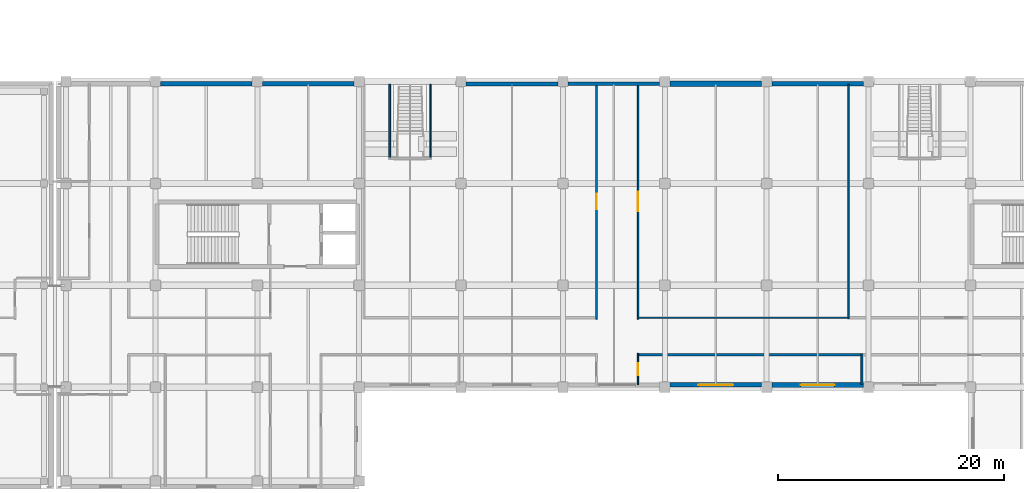
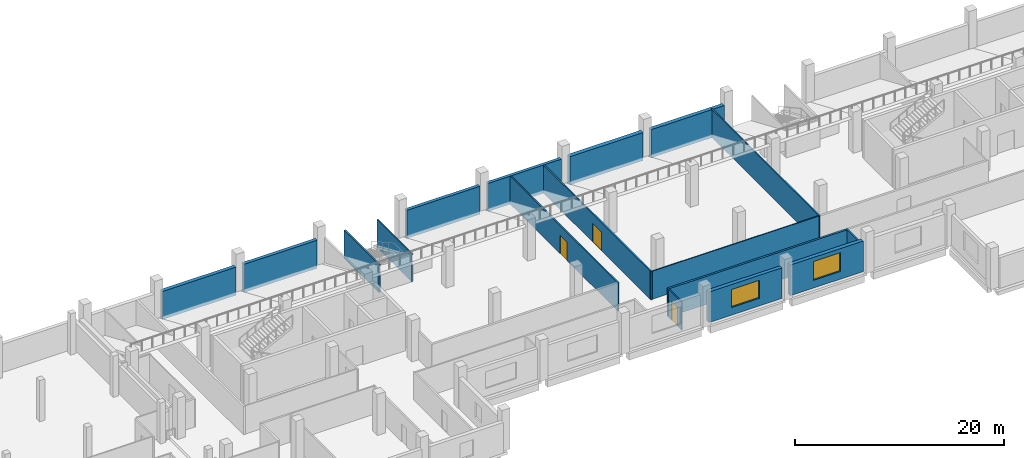
# One storey, part 55 of 100: 17 walls, 3 doors, 2 windows, 5 openings.
"""IFC4 building model written with IfcOpenShell, lengths in metres."""

from ifc_helpers import new_model, si_unit, direction, frame, frame_2d, origin, place, context, subcontext, project, spatial, rectangle, extrude, material, layer, layer_set, type_object, element, fill, save


model = new_model("IFC4")

# Units and contexts
model_context = context("Model", 3, precision=1e-05, world=origin(), true_north=direction((0.0, 1.0)))
body_context = subcontext(model_context, "Body", "Model", "MODEL_VIEW")
ifc_project = project(units=[si_unit("LENGTHUNIT", "METRE"), si_unit("AREAUNIT", "SQUARE_METRE"), si_unit("VOLUMEUNIT", "CUBIC_METRE"), si_unit("PLANEANGLEUNIT", "RADIAN"), si_unit("MASSUNIT", "GRAM", prefix="KILO"), si_unit("THERMODYNAMICTEMPERATUREUNIT", "KELVIN"), si_unit("POWERUNIT", "WATT")], contexts=[model_context])

# Site, building, storey
site_placement = place(None, origin())
site = spatial("IfcSite", under=ifc_project, at=site_placement, CompositionType="ELEMENT")
building_placement = place(site_placement, origin())
building = spatial("IfcBuilding", under=site, at=building_placement, Name="Sindhuravela Promenade Stadium", CompositionType="ELEMENT")
storey_placement = place(building_placement, frame((0.0, 0.0, 4.800048828125)))
storey = spatial("IfcBuildingStorey", under=building, at=storey_placement, Name="L01", CompositionType="ELEMENT", Elevation=4.800048828125)

# Walls
ifc_material_1 = material(Name="Terracotta clay brick masonry (15 MPa)", Category="masonry")
ifc_layer_1 = layer(ifc_material_1, 0.340087890625)
ifc_layer_set_1 = layer_set([ifc_layer_1], Name="Terracotta clay brick masonry (15 MPa)")
wall_type_1 = type_object("IfcWallType", Name="EX-WL-BRK340", PredefinedType="SOLIDWALL", material=ifc_layer_set_1)
wall_1_placement = place(storey_placement, frame((99.455078125, 35.800048828125, 0.0), z_axis=(0.0, 0.0, 1.0), x_axis=(1.0, 0.0, 0.0)))
element("IfcWall", 1, at=wall_1_placement, inside=storey, type_object=wall_type_1, Name="Exterior masonry wall EW06 SOUTH L01", PredefinedType="SOLIDWALL", context=body_context, shape_type="SweptSolid", body=[
    extrude(rectangle(XDim=8.08984375, YDim=0.340087890625, at=frame_2d((4.044921875, 0.0))), origin(), (0.0, 0.0, 1.0), 3.280029296875),
])
ifc_layer_2 = layer(ifc_material_1, 0.360107421875)
ifc_layer_set_2 = layer_set([ifc_layer_2], Name="Terracotta clay brick masonry (15 MPa)")
wall_type_2 = type_object("IfcWallType", Name="EX-WL-BRK360", PredefinedType="SOLIDWALL", material=ifc_layer_set_2)
wall_2_placement = place(storey_placement, frame((90.455078125, 35.800048828125, 0.0), z_axis=(0.0, 0.0, 1.0), x_axis=(1.0, 0.0, 0.0)))
element("IfcWall", 2, at=wall_2_placement, inside=storey, type_object=wall_type_2, Name="Exterior masonry wall EW05 SOUTH L01", PredefinedType="SOLIDWALL", context=body_context, shape_type="SweptSolid", body=[
    extrude(rectangle(XDim=8.08984375, YDim=0.360107421875, at=frame_2d((4.044921875, 0.0))), origin(), (0.0, 0.0, 1.0), 3.280029296875),
])
ifc_layer_3 = layer(ifc_material_1, 0.3798828125)
ifc_layer_set_3 = layer_set([ifc_layer_3], Name="Terracotta clay brick masonry (15 MPa)")
wall_type_3 = type_object("IfcWallType", Name="EX-WL-BRK380", PredefinedType="SOLIDWALL", material=ifc_layer_set_3)
wall_3_placement = place(storey_placement, frame((72.455078125, 35.800048828125, 0.0), z_axis=(0.0, 0.0, 1.0), x_axis=(1.0, 0.0, 0.0)))
element("IfcWall", 3, at=wall_3_placement, inside=storey, type_object=wall_type_3, Name="Exterior masonry wall EW04 SOUTH L01", PredefinedType="SOLIDWALL", context=body_context, shape_type="SweptSolid", body=[
    extrude(rectangle(XDim=8.08984375, YDim=0.3798828125, at=frame_2d((4.044921875, 0.0))), origin(), (0.0, 0.0, 1.0), 3.280029296875),
])
ifc_layer_4 = layer(ifc_material_1, 0.39990234375)
ifc_layer_set_4 = layer_set([ifc_layer_4], Name="Terracotta clay brick masonry (15 MPa)")
wall_type_4 = type_object("IfcWallType", Name="EX-WL-BRK400", PredefinedType="SOLIDWALL", material=ifc_layer_set_4)
wall_4_placement = place(storey_placement, frame((63.455078125, 35.800048828125, 0.0), z_axis=(0.0, 0.0, 1.0), x_axis=(1.0, 0.0, 0.0)))
element("IfcWall", 4, at=wall_4_placement, inside=storey, type_object=wall_type_4, Name="Exterior masonry wall EW03 SOUTH L01", PredefinedType="SOLIDWALL", context=body_context, shape_type="SweptSolid", body=[
    extrude(rectangle(XDim=8.08984375, YDim=0.39990234375, at=frame_2d((4.044921875, 0.0))), origin(), (0.0, 0.0, 1.0), 3.280029296875),
])

# Wall, opening, window
wall_5_placement = place(storey_placement, frame((116.544921875, 9.199951171875, 0.0), z_axis=(0.0, 0.0, 1.0), x_axis=(-1.0, 0.0, 0.0)))
wall_5 = element("IfcWall", 5, at=wall_5_placement, inside=storey, type_object=wall_type_4, Name="Exterior masonry wall EW03 SOUTH L01", PredefinedType="SOLIDWALL", context=body_context, shape_type="SweptSolid", body=[
    extrude(rectangle(XDim=8.08984375, YDim=0.39990234375, at=frame_2d((4.044921875, 0.0))), origin(), (0.0, 0.0, 1.0), 3.579833984375),
])
opening_1_placement = place(wall_5_placement, frame((2.4951171875, 0.0, 0.89990234375)))
opening_1 = element("IfcOpeningElement", 6, at=opening_1_placement, cuts=wall_5, Name="Opening W21", PredefinedType="OPENING", context=body_context, shape_type="SweptSolid", body=[
    extrude(rectangle(XDim=3.10009765625, YDim=2.10009765625, at=frame_2d((1.550048828125, 1.050048828125))), frame((0.0, 0.2099609375, 0.0), z_axis=(0.0, -1.0, 0.0), x_axis=(1.0, 0.0, 0.0)), (0.0, 0.0, 1.0), 0.419921875),
])
ifc_material_2 = material(Name="Tempered laminated low-E glass", Category="glass")
window_type_1 = type_object("IfcWindowType", Name="WN-FAC-3100x2100", PartitioningType="DOUBLE_PANEL_VERTICAL", PredefinedType="WINDOW", material=ifc_material_2)
window_1_placement = place(opening_1_placement, origin())
window_1 = element("IfcWindow", 7, at=window_1_placement, inside=storey, type_object=window_type_1, Name="Window W21 SOUTH L01", OverallHeight=2.10009765625, OverallWidth=3.10009765625, PartitioningType="DOUBLE_PANEL_VERTICAL", PredefinedType="WINDOW", context=body_context, shape_type="SweptSolid", body=[
    extrude(rectangle(XDim=3.10009765625, YDim=2.10009765625, at=frame_2d((1.550048828125, 1.050048828125))), frame((0.0, 0.030029296875, 0.0), z_axis=(0.0, -1.0, 0.0), x_axis=(1.0, 0.0, 0.0)), (0.0, 0.0, 1.0), 0.06005859375),
])
fill(opening_1, window_1)

# Wall
ifc_layer_5 = layer(ifc_material_1, 0.419921875)
ifc_layer_set_5 = layer_set([ifc_layer_5], Name="Terracotta clay brick masonry (15 MPa)")
wall_type_5 = type_object("IfcWallType", Name="EX-WL-BRK420", PredefinedType="SOLIDWALL", material=ifc_layer_set_5)
wall_6_placement = place(storey_placement, frame((117.455078125, 35.800048828125, 0.0), z_axis=(0.0, 0.0, 1.0), x_axis=(1.0, 0.0, 0.0)))
element("IfcWall", 8, at=wall_6_placement, inside=storey, type_object=wall_type_5, Name="Exterior masonry wall EW02 SOUTH L01", PredefinedType="SOLIDWALL", context=body_context, shape_type="SweptSolid", body=[
    extrude(rectangle(XDim=8.08984375, YDim=0.419921875, at=frame_2d((4.044921875, 0.0))), origin(), (0.0, 0.0, 1.0), 3.280029296875),
])

# Wall, opening, window
wall_7_placement = place(storey_placement, frame((125.544921875, 9.199951171875, 0.0), z_axis=(0.0, 0.0, 1.0), x_axis=(-1.0, 0.0, 0.0)))
wall_7 = element("IfcWall", 9, at=wall_7_placement, inside=storey, type_object=wall_type_5, Name="Exterior masonry wall EW02 SOUTH L01", PredefinedType="SOLIDWALL", context=body_context, shape_type="SweptSolid", body=[
    extrude(rectangle(XDim=8.08984375, YDim=0.419921875, at=frame_2d((4.044921875, 0.0))), origin(), (0.0, 0.0, 1.0), 3.579833984375),
])
opening_2_placement = place(wall_7_placement, frame((2.544921875, 0.0, 0.89990234375)))
opening_2 = element("IfcOpeningElement", 10, at=opening_2_placement, cuts=wall_7, Name="Opening W20", PredefinedType="OPENING", context=body_context, shape_type="SweptSolid", body=[
    extrude(rectangle(XDim=3.0, YDim=2.199951171875, at=frame_2d((1.5, 1.10009765625))), frame((0.0, 0.219970703125, 0.0), z_axis=(0.0, -1.0, 0.0), x_axis=(1.0, 0.0, 0.0)), (0.0, 0.0, 1.0), 0.43994140625),
])
window_type_2 = type_object("IfcWindowType", Name="WN-FAC-3000x2200", PartitioningType="DOUBLE_PANEL_VERTICAL", PredefinedType="WINDOW", material=ifc_material_2)
window_2_placement = place(opening_2_placement, origin())
window_2 = element("IfcWindow", 11, at=window_2_placement, inside=storey, type_object=window_type_2, Name="Window W20 SOUTH L01", OverallHeight=2.199951171875, OverallWidth=3.0, PartitioningType="DOUBLE_PANEL_VERTICAL", PredefinedType="WINDOW", context=body_context, shape_type="SweptSolid", body=[
    extrude(rectangle(XDim=3.0, YDim=2.199951171875, at=frame_2d((1.5, 1.10009765625))), frame((0.0, 0.030029296875, 0.0), z_axis=(0.0, -1.0, 0.0), x_axis=(1.0, 0.0, 0.0)), (0.0, 0.0, 1.0), 0.06005859375),
])
fill(opening_2, window_2)

# Walls
ifc_layer_6 = layer(ifc_material_1, 0.4599609375)
ifc_layer_set_6 = layer_set([ifc_layer_6], Name="Terracotta clay brick masonry (15 MPa)")
wall_type_6 = type_object("IfcWallType", Name="EX-WL-BRK460", PredefinedType="SOLIDWALL", material=ifc_layer_set_6)
wall_8_placement = place(storey_placement, frame((108.455078125, 35.800048828125, 0.0), z_axis=(0.0, 0.0, 1.0), x_axis=(1.0, 0.0, 0.0)))
element("IfcWall", 12, at=wall_8_placement, inside=storey, type_object=wall_type_6, Name="Exterior masonry wall EW01 SOUTH L01", PredefinedType="SOLIDWALL", context=body_context, shape_type="SweptSolid", body=[
    extrude(rectangle(XDim=8.08984375, YDim=0.4599609375, at=frame_2d((4.044921875, 0.0))), origin(), (0.0, 0.0, 1.0), 3.280029296875),
])
ifc_material_3 = material(Name="Fire-rated gypsum partition board", Category="gypsum")
ifc_layer_7 = layer(ifc_material_3, 0.110107421875)
ifc_layer_set_7 = layer_set([ifc_layer_7], Name="Fire-rated gypsum partition board")
wall_type_7 = type_object("IfcWallType", Name="IN-WL-PAR110", PredefinedType="PARTITIONING", material=ifc_layer_set_7)
wall_9_placement = place(storey_placement, frame((87.300048828125, 29.1201171875, 0.0), z_axis=(0.0, 0.0, 1.0), x_axis=(0.0, 1.0, 0.0)))
element("IfcWall", 13, at=wall_9_placement, inside=storey, type_object=wall_type_7, Name="Interior partition IW06 SOUTH L01", PredefinedType="PARTITIONING", context=body_context, shape_type="SweptSolid", body=[
    extrude(rectangle(XDim=6.639892578125, YDim=0.110107421875, at=frame_2d((3.31982421875, 0.0))), origin(), (0.0, 0.0, 1.0), 3.280029296875),
])
wall_10_placement = place(storey_placement, frame((124.19677734375, 15.139892578125, 0.0), z_axis=(0.0, 0.0, 1.0), x_axis=(-1.0, 0.0, 0.0)))
element("IfcWall", 14, at=wall_10_placement, inside=storey, type_object=wall_type_7, Name="Interior partition IW06 SOUTH L01", PredefinedType="PARTITIONING", context=body_context, shape_type="SweptSolid", body=[
    extrude(rectangle(XDim=18.63671875, YDim=0.110107421875, at=frame_2d((9.318359375, 0.0))), origin(), (0.0, 0.0, 1.0), 3.280029296875),
])

# Wall, opening, door
wall_11_placement = place(storey_placement, frame((105.639892578125, 11.97998046875, 0.0), z_axis=(0.0, 0.0, 1.0), x_axis=(0.0, -1.0, 0.0)))
wall_11 = element("IfcWall", 15, at=wall_11_placement, inside=storey, type_object=wall_type_7, Name="Corridor partition IW06 South Family Supporters Lounge 5", PredefinedType="PARTITIONING", context=body_context, shape_type="SweptSolid", body=[
    extrude(rectangle(XDim=2.780029296875, YDim=0.110107421875, at=frame_2d((1.39013671875, 0.0))), origin(), (0.0, 0.0, 1.0), 3.280029296875),
])
opening_3_placement = place(wall_11_placement, frame((0.85009765625, 0.0, 0.0)))
opening_3 = element("IfcOpeningElement", 16, at=opening_3_placement, cuts=wall_11, Name="Opening ID12", PredefinedType="OPENING", context=body_context, shape_type="SweptSolid", body=[
    extrude(rectangle(XDim=1.080078125, YDim=2.179931640625, at=frame_2d((0.5400390625, 1.08984375))), frame((0.0, 0.06494140625, 0.0), z_axis=(0.0, -1.0, 0.0), x_axis=(1.0, 0.0, 0.0)), (0.0, 0.0, 1.0), 0.130126953125),
])
ifc_material_4 = material(Name="Architectural teak timber leaf", Category="wood")
door_type_1 = type_object("IfcDoorType", Name="DR-INT-1080x2180", OperationType="NOTDEFINED", PredefinedType="DOOR", material=ifc_material_4)
door_1_placement = place(opening_3_placement, origin())
door_1 = element("IfcDoor", 17, at=door_1_placement, inside=storey, type_object=door_type_1, Name="South Family Supporters Lounge 5 door", OperationType="SINGLE_SWING_LEFT", OverallHeight=2.179931640625, OverallWidth=1.080078125, PredefinedType="DOOR", context=body_context, shape_type="SweptSolid", body=[
    extrude(rectangle(XDim=1.080078125, YDim=2.179931640625, at=frame_2d((0.5400390625, 1.08984375))), frame((0.0, 0.02490234375, 0.0), z_axis=(0.0, -1.0, 0.0), x_axis=(1.0, 0.0, 0.0)), (0.0, 0.0, 1.0), 0.050048828125),
])
fill(opening_3, door_1)

# Wall
ifc_layer_8 = layer(ifc_material_3, 0.1298828125)
ifc_layer_set_8 = layer_set([ifc_layer_8], Name="Fire-rated gypsum partition board")
wall_type_8 = type_object("IfcWallType", Name="IN-WL-PAR130", PredefinedType="PARTITIONING", material=ifc_layer_set_8)
wall_12_placement = place(storey_placement, frame((124.23681640625, 35.760009765625, 0.0), z_axis=(0.0, 0.0, 1.0), x_axis=(0.0, -1.0, 0.0)))
element("IfcWall", 18, at=wall_12_placement, inside=storey, type_object=wall_type_8, Name="Interior partition IW05 SOUTH L01", PredefinedType="PARTITIONING", context=body_context, shape_type="SweptSolid", body=[
    extrude(rectangle(XDim=20.699951171875, YDim=0.1298828125, at=frame_2d((10.35009765625, 0.0))), origin(), (0.0, 0.0, 1.0), 3.280029296875),
])

# Wall, opening, door
ifc_layer_9 = layer(ifc_material_3, 0.14990234375)
ifc_layer_set_9 = layer_set([ifc_layer_9], Name="Fire-rated gypsum partition board")
wall_type_9 = type_object("IfcWallType", Name="IN-WL-PAR150", PredefinedType="PARTITIONING", material=ifc_layer_set_9)
wall_13_placement = place(storey_placement, frame((101.9599609375, 15.02001953125, 0.0), z_axis=(0.0, 0.0, 1.0), x_axis=(0.0, 1.0, 0.0)))
wall_13 = element("IfcWall", 19, at=wall_13_placement, inside=storey, type_object=wall_type_9, Name="Corridor partition IW04 South Lower Concourse Hall", PredefinedType="PARTITIONING", context=body_context, shape_type="SweptSolid", body=[
    extrude(rectangle(XDim=20.780029296875, YDim=0.14990234375, at=frame_2d((10.39013671875, 0.0))), origin(), (0.0, 0.0, 1.0), 3.280029296875),
])
opening_4_placement = place(wall_13_placement, frame((9.68994140625, 0.0, 0.0)))
opening_4 = element("IfcOpeningElement", 20, at=opening_4_placement, cuts=wall_13, Name="Opening ID03", PredefinedType="OPENING", context=body_context, shape_type="SweptSolid", body=[
    extrude(rectangle(XDim=1.39990234375, YDim=2.14990234375, at=frame_2d((0.699951171875, 1.074951171875))), frame((0.0, 0.0849609375, 0.0), z_axis=(0.0, -1.0, 0.0), x_axis=(1.0, 0.0, 0.0)), (0.0, 0.0, 1.0), 0.169921875),
])
door_type_2 = type_object("IfcDoorType", Name="DR-INT-1400x2150", OperationType="DOUBLE_DOOR_SINGLE_SWING", PredefinedType="DOOR", material=ifc_material_4)
door_2_placement = place(opening_4_placement, origin())
door_2 = element("IfcDoor", 21, at=door_2_placement, inside=storey, type_object=door_type_2, Name="South Lower Concourse Hall door", OperationType="DOUBLE_DOOR_SINGLE_SWING", OverallHeight=2.14990234375, OverallWidth=1.39990234375, PredefinedType="DOOR", context=body_context, shape_type="SweptSolid", body=[
    extrude(rectangle(XDim=1.39990234375, YDim=2.14990234375, at=frame_2d((0.699951171875, 1.074951171875))), frame((0.0, 0.02490234375, 0.0), z_axis=(0.0, -1.0, 0.0), x_axis=(1.0, 0.0, 0.0)), (0.0, 0.0, 1.0), 0.050048828125),
])
fill(opening_4, door_2)

wall_14_placement = place(storey_placement, frame((105.639892578125, 35.800048828125, 0.0), z_axis=(0.0, 0.0, 1.0), x_axis=(0.0, -1.0, 0.0)))
wall_14 = element("IfcWall", 22, at=wall_14_placement, inside=storey, type_object=wall_type_9, Name="Corridor partition IW04 Concourse Food Kiosk South A", PredefinedType="PARTITIONING", context=body_context, shape_type="SweptSolid", body=[
    extrude(rectangle(XDim=20.780029296875, YDim=0.14990234375, at=frame_2d((10.39013671875, 0.0))), origin(), (0.0, 0.0, 1.0), 3.280029296875),
])
opening_5_placement = place(wall_14_placement, frame((9.5400390625, 0.0, 0.0)))
opening_5 = element("IfcOpeningElement", 23, at=opening_5_placement, cuts=wall_14, Name="Opening ID01", PredefinedType="OPENING", context=body_context, shape_type="SweptSolid", body=[
    extrude(rectangle(XDim=1.699951171875, YDim=2.199951171875, at=frame_2d((0.85009765625, 1.10009765625))), frame((0.0, 0.0849609375, 0.0), z_axis=(0.0, -1.0, 0.0), x_axis=(1.0, 0.0, 0.0)), (0.0, 0.0, 1.0), 0.169921875),
])
door_type_3 = type_object("IfcDoorType", Name="DR-INT-1700x2200", OperationType="DOUBLE_DOOR_SINGLE_SWING", PredefinedType="DOOR", material=ifc_material_4)
door_3_placement = place(opening_5_placement, origin())
door_3 = element("IfcDoor", 24, at=door_3_placement, inside=storey, type_object=door_type_3, Name="Concourse Food Kiosk South A door", OperationType="DOUBLE_DOOR_SINGLE_SWING", OverallHeight=2.199951171875, OverallWidth=1.699951171875, PredefinedType="DOOR", context=body_context, shape_type="SweptSolid", body=[
    extrude(rectangle(XDim=1.699951171875, YDim=2.199951171875, at=frame_2d((0.85009765625, 1.10009765625))), frame((0.0, 0.02490234375, 0.0), z_axis=(0.0, -1.0, 0.0), x_axis=(1.0, 0.0, 0.0)), (0.0, 0.0, 1.0), 0.050048828125),
])
fill(opening_5, door_3)

# Walls
ifc_layer_10 = layer(ifc_material_3, 0.175048828125)
ifc_layer_set_10 = layer_set([ifc_layer_10], Name="Fire-rated gypsum partition board")
wall_type_10 = type_object("IfcWallType", Name="IN-WL-PAR175", PredefinedType="PARTITIONING", material=ifc_layer_set_10)
wall_15_placement = place(storey_placement, frame((83.699951171875, 35.760009765625, 0.0), z_axis=(0.0, 0.0, 1.0), x_axis=(0.0, -1.0, 0.0)))
element("IfcWall", 25, at=wall_15_placement, inside=storey, type_object=wall_type_10, Name="Interior partition IW03 SOUTH L01", PredefinedType="PARTITIONING", context=body_context, shape_type="SweptSolid", body=[
    extrude(rectangle(XDim=6.639892578125, YDim=0.175048828125, at=frame_2d((3.31982421875, 0.0))), origin(), (0.0, 0.0, 1.0), 3.280029296875),
])
wall_16_placement = place(storey_placement, frame((125.39990234375, 9.239990234375, 0.0), z_axis=(0.0, 0.0, 1.0), x_axis=(0.0, 1.0, 0.0)))
element("IfcWall", 26, at=wall_16_placement, inside=storey, type_object=wall_type_10, Name="Interior partition IW03 SOUTH L01", PredefinedType="PARTITIONING", context=body_context, shape_type="SweptSolid", body=[
    extrude(rectangle(XDim=2.699951171875, YDim=0.175048828125, at=frame_2d((1.35009765625, 0.0))), origin(), (0.0, 0.0, 1.0), 3.280029296875),
])
ifc_layer_11 = layer(ifc_material_3, 0.219970703125)
ifc_layer_set_11 = layer_set([ifc_layer_11], Name="Fire-rated gypsum partition board")
wall_type_11 = type_object("IfcWallType", Name="IN-WL-PAR220", PredefinedType="PARTITIONING", material=ifc_layer_set_11)
wall_17_placement = place(storey_placement, frame((105.56005859375, 11.860107421875, 0.0), z_axis=(0.0, 0.0, 1.0), x_axis=(1.0, 0.0, 0.0)))
element("IfcWall", 27, at=wall_17_placement, inside=storey, type_object=wall_type_11, Name="Interior partition IW01 SOUTH L01", PredefinedType="PARTITIONING", context=body_context, shape_type="SweptSolid", body=[
    extrude(rectangle(XDim=19.800048828125, YDim=0.219970703125, at=frame_2d((9.89990234375, 0.0))), origin(), (0.0, 0.0, 1.0), 3.280029296875),
])

save(model, "model.ifc")
